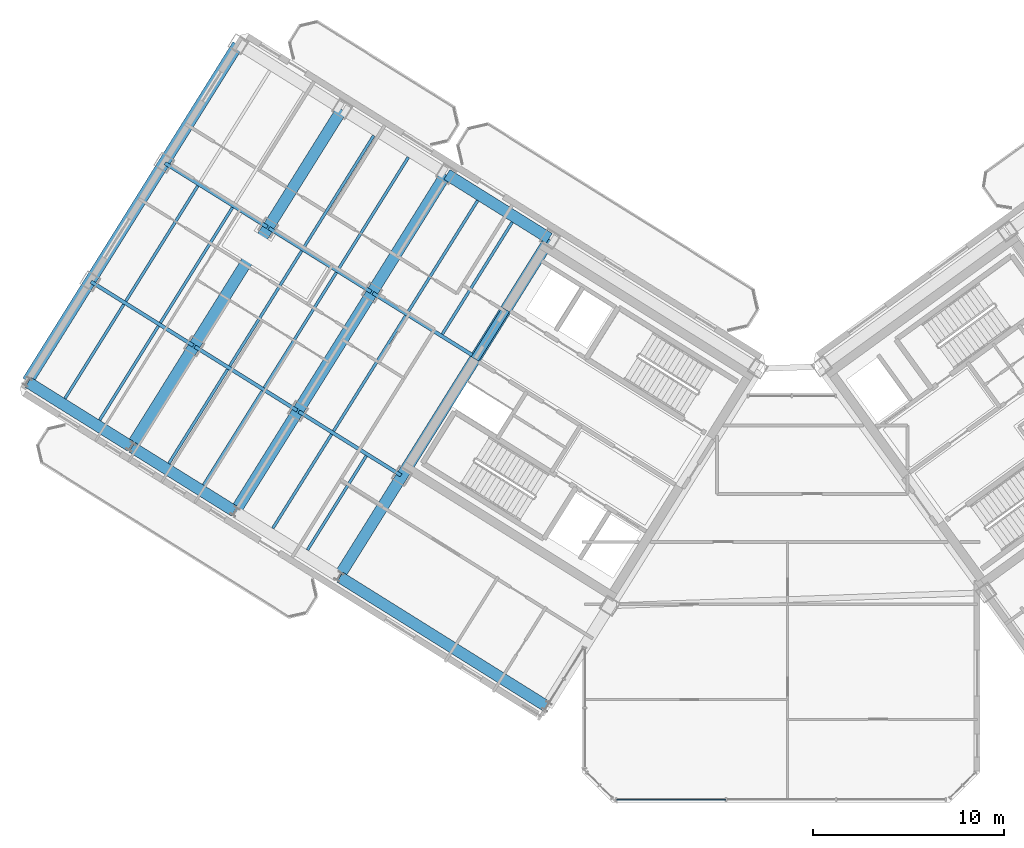
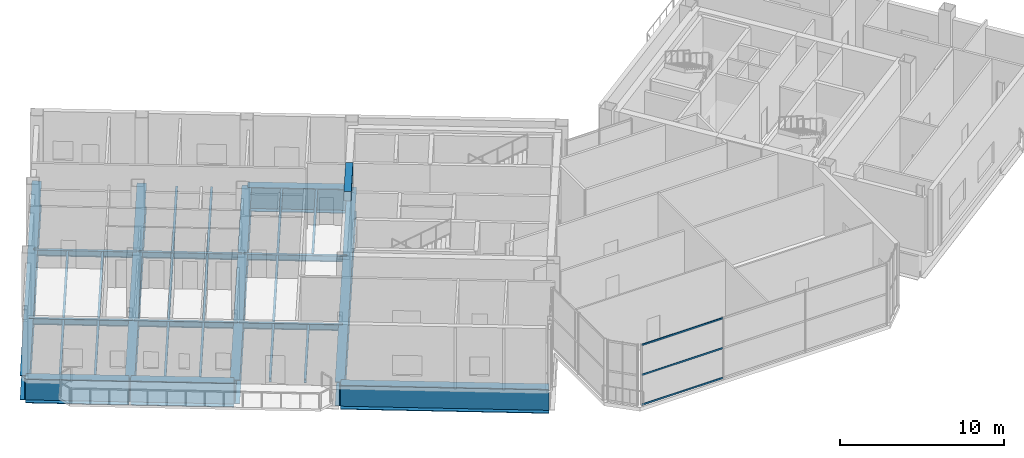
# One storey, part 7 of 26: 30 beams, 3 members, 1 element without a shape of its own.
"""IFC4 building model written with IfcOpenShell, lengths in metres."""

import ifcopenshell
import ifcopenshell.guid

model = None  # the IFC model being written
_history = None  # IfcOwnerHistory: only IFC2X3 demands one
_inside = {}  # id of a spatial element -> (the spatial element, [elements in it])
_under = {}  # id of a project, library or spatial element -> (it, [spatial elements below it])
_declared = {}  # id of a project -> (the project, [libraries it declares])
_typed = {}  # id of a type object -> (the type object, [elements of that type])
_made_of = {}  # id of a material, layer set ... -> (it, [elements and type objects made of it])


def new_model(schema):
    """Start an empty IFC model of exactly this schema.

    Asked for "IFC4X3", IfcOpenShell would pick the latest addendum, in which some entities
    have other attributes; the version numbers below select the first issue.
    IFC2X3 requires an IfcOwnerHistory on every rooted entity: one is made here for all.
    """
    global model, _history
    if schema == "IFC4X3":
        model = ifcopenshell.file(schema_version=(4, 3, 0, 0))
    else:
        model = ifcopenshell.file(schema=schema)
    _inside.clear()
    _under.clear()
    _declared.clear()
    _typed.clear()
    _made_of.clear()
    _history = None
    if model.schema == "IFC2X3":
        org = make("IfcOrganization", Name="unknown")
        user = make(
            "IfcPersonAndOrganization",
            ThePerson=make("IfcPerson", FamilyName="unknown"),
            TheOrganization=org,
        )
        app = make(
            "IfcApplication",
            ApplicationDeveloper=org,
            Version="unknown",
            ApplicationFullName="unknown",
            ApplicationIdentifier="unknown",
        )
        _history = make(
            "IfcOwnerHistory",
            OwningUser=user,
            OwningApplication=app,
            ChangeAction="ADDED",
            CreationDate=0,
        )
    return model


def make(cls, **values):
    """One entity of the class cls with the attributes given. An attribute that is None is left unset."""
    return model.create_entity(
        cls, **{name: value for name, value in values.items() if value is not None}
    )


def rooted(cls, **values):
    """An entity with a GlobalId (a new one), such as an element, a storey or a relation."""
    return make(cls, GlobalId=ifcopenshell.guid.new(), OwnerHistory=_history, **values)


def si_unit(unit_type, name, prefix=None):
    """IfcSIUnit, for example si_unit("LENGTHUNIT", "METRE", prefix="MILLI")."""
    return make("IfcSIUnit", UnitType=unit_type, Prefix=prefix, Name=name)


def assignment(units):
    """IfcUnitAssignment: the units of a project."""
    return None if units is None else make("IfcUnitAssignment", Units=units)


def point(xyz):
    """IfcCartesianPoint."""
    return None if xyz is None else make("IfcCartesianPoint", Coordinates=xyz)


def direction(xyz):
    """IfcDirection."""
    return None if xyz is None else make("IfcDirection", DirectionRatios=xyz)


def frame(location, z_axis=None, x_axis=None):
    """IfcAxis2Placement3D, a coordinate frame: its origin and axes. An axis left out is left unset."""
    return make(
        "IfcAxis2Placement3D",
        Location=point(location),
        Axis=direction(z_axis),
        RefDirection=direction(x_axis),
    )


def frame_2d(location, x_axis=None):
    """IfcAxis2Placement2D, a coordinate frame in the plane: its origin and x axis."""
    return make(
        "IfcAxis2Placement2D", Location=point(location), RefDirection=direction(x_axis)
    )


def origin():
    """The frame at (0, 0, 0) with its axes left unset."""
    return frame((0.0, 0.0, 0.0))


def origin_2d():
    """The frame at (0, 0) in the plane with its x axis left unset."""
    return frame_2d((0.0, 0.0))


def place(relative_to, where):
    """IfcLocalPlacement: puts the frame where relative to a parent placement (None: the world)."""
    return make(
        "IfcLocalPlacement", PlacementRelTo=relative_to, RelativePlacement=where
    )


def context(
    kind, dimensions, precision=None, world=None, true_north=None, identifier=None
):
    """IfcGeometricRepresentationContext, for example the 3D "Model" context."""
    return make(
        "IfcGeometricRepresentationContext",
        ContextIdentifier=identifier,
        ContextType=kind,
        CoordinateSpaceDimension=dimensions,
        Precision=precision,
        WorldCoordinateSystem=world,
        TrueNorth=true_north,
    )


def subcontext(parent, identifier, kind, view, scale=None):
    """IfcGeometricRepresentationSubContext, for example "Body" below "Model"."""
    return make(
        "IfcGeometricRepresentationSubContext",
        ContextIdentifier=identifier,
        ContextType=kind,
        ParentContext=parent,
        TargetScale=scale,
        TargetView=view,
    )


def project(units=None, contexts=None):
    """IfcProject with its units and contexts."""
    return rooted(
        "IfcProject",
        Name="project",
        RepresentationContexts=contexts,
        UnitsInContext=assignment(units),
    )


def spatial(cls, under=None, at=None, **own):
    """A site, building, storey or space (cls), placed at a placement, below another one or the project."""
    s = rooted(cls, ObjectPlacement=at, **own)
    if under is not None:
        _under.setdefault(under.id(), (under, []))[1].append(s)
    return s


def profile(cls, at=None, kind="AREA", **sizes):
    """A parametric profile (cls). Its sizes go by their IFC names, for example OverallWidth=200.0."""
    return make(cls, ProfileType=kind, Position=at, **sizes)


def rectangle(**sizes):
    """IfcRectangleProfileDef."""
    return profile("IfcRectangleProfileDef", **sizes)


def hollow_rectangle(**sizes):
    """IfcRectangleHollowProfileDef."""
    return profile("IfcRectangleHollowProfileDef", **sizes)


def i_section(**sizes):
    """IfcIShapeProfileDef."""
    return profile("IfcIShapeProfileDef", **sizes)


def extrude(swept, where, along, depth):
    """IfcExtrudedAreaSolid: the profile swept, set in the frame where, extruded along a direction by depth."""
    return make(
        "IfcExtrudedAreaSolid",
        SweptArea=swept,
        Position=where,
        ExtrudedDirection=direction(along),
        Depth=depth,
    )


def shape(context_of_items, identifier, shape_type, items):
    """IfcShapeRepresentation: the items that make up one representation, for example the "Body"."""
    return make(
        "IfcShapeRepresentation",
        ContextOfItems=context_of_items,
        RepresentationIdentifier=identifier,
        RepresentationType=shape_type,
        Items=items,
    )


def source(mapping_origin, context_of_items, identifier, shape_type, items):
    """IfcRepresentationMap: a shape defined once, which mapped items show again and again."""
    return make(
        "IfcRepresentationMap",
        MappingOrigin=mapping_origin,
        MappedRepresentation=shape(context_of_items, identifier, shape_type, items),
    )


def transform(
    local_origin,
    x_axis=None,
    y_axis=None,
    z_axis=None,
    scale=None,
    scale2=None,
    scale3=None,
    uniform=True,
):
    """IfcCartesianTransformationOperator3D, or its non-uniform kind. x_axis, y_axis, z_axis: its Axis1, 2, 3."""
    if uniform:
        return make(
            "IfcCartesianTransformationOperator3D",
            Axis1=direction(x_axis),
            Axis2=direction(y_axis),
            LocalOrigin=point(local_origin),
            Scale=scale,
            Axis3=direction(z_axis),
        )
    return make(
        "IfcCartesianTransformationOperator3DnonUniform",
        Axis1=direction(x_axis),
        Axis2=direction(y_axis),
        LocalOrigin=point(local_origin),
        Scale=scale,
        Axis3=direction(z_axis),
        Scale2=scale2,
        Scale3=scale3,
    )


def mapped(mapping_source, mapping_target):
    """IfcMappedItem: shows the shape of a source again, moved by a transform."""
    return make(
        "IfcMappedItem", MappingSource=mapping_source, MappingTarget=mapping_target
    )


def material(Name=None, Category=None):
    """IfcMaterial."""
    return make("IfcMaterial", Name=Name, Category=Category)


def material_profile(
    of_material, cross_section, Name=None, Category=None, Priority=None
):
    """IfcMaterialProfile: a cross section and its material."""
    return make(
        "IfcMaterialProfile",
        Name=Name,
        Material=of_material,
        Profile=cross_section,
        Priority=Priority,
        Category=Category,
    )


def profile_set(profiles, Name=None, composite=None):
    """IfcMaterialProfileSet."""
    return make(
        "IfcMaterialProfileSet",
        Name=Name,
        MaterialProfiles=profiles,
        CompositeProfile=composite,
    )


def made_of(thing, what):
    """Note that an element or type object is made of a material, layer set ...; save() writes the relation."""
    if what is not None:
        _made_of.setdefault(what.id(), (what, []))[1].append(thing)
    return thing


def type_object(cls, material=None, **own):
    """A type object (cls), such as IfcWallType, which elements share."""
    return made_of(rooted(cls, **own), material)


def element(
    cls,
    number,
    at=None,
    inside=None,
    cuts=None,
    type_object=None,
    material=None,
    context=None,
    identifier="Body",
    shape_type=None,
    held_by="IfcProductDefinitionShape",
    body=None,
    shapes=None,
    **own,
):
    """One element of the class cls, such as IfcWall. Its Tag is "e" and its number.

    at: its placement. inside: the storey or other place that contains it. cuts: it is an
    opening in that element (IfcRelVoidsElement). A single representation is given by context,
    identifier, shape_type and body (its items); several are given by shapes. held_by: the class
    of the entity that holds the representations. save() writes the other relations.
    """
    e = rooted(cls, Tag="e%d" % number, ObjectPlacement=at, **own)
    if body is not None:
        shapes = [shape(context, identifier, shape_type, body)]
    if shapes is not None:
        e.Representation = make(held_by, Representations=shapes)
    if inside is not None:
        _inside.setdefault(inside.id(), (inside, []))[1].append(e)
    if cuts is not None:
        rooted(
            "IfcRelVoidsElement", RelatingBuildingElement=cuts, RelatedOpeningElement=e
        )
    if type_object is not None:
        _typed.setdefault(type_object.id(), (type_object, []))[1].append(e)
    return made_of(e, material)


def aggregate(whole, parts):
    """IfcRelAggregates: a whole, such as a stair, and the parts it consists of."""
    return rooted("IfcRelAggregates", RelatingObject=whole, RelatedObjects=parts)


def save(model, path):
    """Write the relations noted so far, then the file.

    IfcRelAggregates (storeys below a building ...), IfcRelContainedInSpatialStructure (elements
    in a storey), IfcRelDefinesByType, IfcRelAssociatesMaterial and IfcRelDeclares: one each for
    every whole, place, type object, material and project.
    """
    for whole, parts in _under.values():
        aggregate(whole, parts)
    for where, things in _inside.values():
        rooted(
            "IfcRelContainedInSpatialStructure",
            RelatedElements=things,
            RelatingStructure=where,
        )
    for kind, things in _typed.values():
        rooted("IfcRelDefinesByType", RelatedObjects=things, RelatingType=kind)
    for what, things in _made_of.values():
        rooted("IfcRelAssociatesMaterial", RelatedObjects=things, RelatingMaterial=what)
    for by, libraries in _declared.values():
        rooted("IfcRelDeclares", RelatingContext=by, RelatedDefinitions=libraries)
    model.write(path)


model = new_model("IFC4")

# Units and contexts
model_context = context("Model", 3, precision=1e-05, world=origin(), true_north=direction((0.0, 1.0)))
body_context = subcontext(model_context, "Body", "Model", "MODEL_VIEW")
ifc_project = project(units=[si_unit("LENGTHUNIT", "METRE"), si_unit("AREAUNIT", "SQUARE_METRE"), si_unit("VOLUMEUNIT", "CUBIC_METRE"), si_unit("PLANEANGLEUNIT", "RADIAN"), si_unit("MASSUNIT", "GRAM", prefix="KILO")], contexts=[model_context])

# Site, building, storey
site_placement = place(None, origin())
site = spatial("IfcSite", under=ifc_project, at=site_placement, CompositionType="ELEMENT")
building_placement = place(site_placement, origin())
building = spatial("IfcBuilding", under=site, at=building_placement, Name="Tlacorven Tower", CompositionType="ELEMENT")
storey_placement = place(building_placement, frame((0.0, 0.0, 233.699951171875)))
storey = spatial("IfcBuildingStorey", under=building, at=storey_placement, Name="L59", CompositionType="ELEMENT", Elevation=233.699951171875)

# Beams
ifc_material_1 = material(Name="Concrete C60/75", Category="concrete")
ifc_material_profile_1 = material_profile(ifc_material_1, rectangle(XDim=0.449951171875, YDim=0.699951171875, at=origin_2d()), Name="RC 450X700")
ifc_profile_set_1 = profile_set([ifc_material_profile_1], Name="Concrete C60/75")
beam_type_1 = type_object("IfcBeamType", Name="BM-LNT-700", PredefinedType="LINTEL", material=ifc_profile_set_1)
shared_shape_1 = source(origin(), body_context, "Body", "SweptSolid", [
    extrude(rectangle(XDim=0.449951171875, YDim=0.699951171875, at=origin_2d()), origin(), (0.0, 0.0, 1.0), 3.0498046875),
])
beam_1_placement = place(storey_placement, frame((27.622802734375, 27.562255859375, 4.199951171875), z_axis=(-0.529926983584, -0.848043272522, 0.0), x_axis=(0.848043272522, -0.529926983584, 0.0)))
element("IfcBeam", 1, at=beam_1_placement, inside=storey, type_object=beam_type_1, Name="L59 W core coupling lintel beam E2", PredefinedType="LINTEL", context=body_context, shape_type="MappedRepresentation", body=[
    mapped(shared_shape_1, transform((0.0, 0.0, 0.0), scale=1.0)),
])
ifc_material_2 = material(Name="Steel S460M", Category="steel")
ifc_material_profile_2 = material_profile(ifc_material_2, i_section(OverallWidth=0.60009765625, OverallDepth=1.800048828125, WebThickness=0.028076171875, FlangeThickness=0.0400390625, at=origin_2d()), Name="PG 1800X600X28X40")
ifc_profile_set_2 = profile_set([ifc_material_profile_2], Name="Steel S460M")
beam_type_2 = type_object("IfcBeamType", Name="BM-TRG-1800", PredefinedType="USERDEFINED", material=ifc_profile_set_2)
shared_shape_2 = source(origin(), body_context, "Body", "SweptSolid", [
    extrude(i_section(OverallWidth=0.60009765625, OverallDepth=1.800048828125, WebThickness=0.028076171875, FlangeThickness=0.0400390625, at=origin_2d()), origin(), (0.0, 0.0, 1.0), 20.719970703125),
])
for number, where, z_axis, x_axis, name in (
    (2, (29.90673828125, 31.217529296875, -1.179931640625), (-0.529921621162, -0.84804662338, 0.0), (0.84804662338, -0.529921621162, 0.0), "L59 beam BM-L59-WT3-1"),
    (3, (24.479248046875, 34.60888671875, -1.179931640625), (-0.529921621162, -0.84804662338, 0.0), (0.84804662338, -0.529921621162, 0.0), "L59 beam BM-L59-WT4-1"),
    (4, (19.0517578125, 38.00048828125, -1.179931640625), (-0.529921621162, -0.84804662338, 0.0), (0.84804662338, -0.529921621162, 0.0), "L59 beam BM-L59-WT5-1"),
    (5, (13.624267578125, 41.391845703125, -1.179931640625), (-0.529921621162, -0.84804662338, 0.0), (0.84804662338, -0.529921621162, 0.0), "L59 beam BM-L59-WT6-1"),
):
    element("IfcBeam", number, at=place(storey_placement, frame(where, z_axis=z_axis, x_axis=x_axis)), inside=storey, type_object=beam_type_2, Name=name, ObjectType="TRANSFER GIRDER", PredefinedType="USERDEFINED", context=body_context, shape_type="MappedRepresentation", body=[
        mapped(shared_shape_2, transform((0.0, 0.0, 0.0), scale=1.0)),
    ])
shared_shape_3 = source(origin(), body_context, "Body", "SweptSolid", [
    extrude(i_section(OverallWidth=0.60009765625, OverallDepth=1.800048828125, WebThickness=0.028076171875, FlangeThickness=0.0400390625, at=origin_2d()), origin(), (0.0, 0.0, 1.0), 12.699951171875),
])
beam_2_placement = place(storey_placement, frame((29.71826171875, 6.85546875, -1.179931640625), z_axis=(-0.848049059057, 0.529917723268, 0.0), x_axis=(-0.529917723268, -0.848049059057, 0.0)))
element("IfcBeam", 6, at=beam_2_placement, inside=storey, type_object=beam_type_2, Name="L59 beam BM-L59-WL4-1", ObjectType="TRANSFER GIRDER", PredefinedType="USERDEFINED", context=body_context, shape_type="MappedRepresentation", body=[
    mapped(shared_shape_3, transform((0.0, 0.0, 0.0), scale=1.0)),
])
shared_shape_4 = source(origin(), body_context, "Body", "SweptSolid", [
    extrude(i_section(OverallWidth=0.60009765625, OverallDepth=1.800048828125, WebThickness=0.028076171875, FlangeThickness=0.0400390625, at=origin_2d()), origin(), (0.0, 0.0, 1.0), 6.300048828125),
])
for number, where, z_axis, x_axis, name in (
    (7, (29.885498046875, 31.27783203125, -1.179931640625), (-0.848041842361, 0.529929272267, 0.0), (-0.529929272267, -0.848041842361, 0.0), "L59 beam BM-L59-WL1-3"),
    (8, (13.435791015625, 17.030029296875, -1.179931640625), (-0.848059257352, 0.529901402168, 0.0), (-0.529901402168, -0.848059257352, 0.0), "L59 beam BM-L59-WL4-4"),
    (9, (8.00830078125, 20.42138671875, -1.179931640625), (-0.848041842361, 0.529929272267, 0.0), (-0.529929272267, -0.848041842361, 0.0), "L59 beam BM-L59-WL4-5"),
):
    element("IfcBeam", number, at=place(storey_placement, frame(where, z_axis=z_axis, x_axis=x_axis)), inside=storey, type_object=beam_type_2, Name=name, ObjectType="TRANSFER GIRDER", PredefinedType="USERDEFINED", context=body_context, shape_type="MappedRepresentation", body=[
        mapped(shared_shape_4, transform((0.0, 0.0, 0.0), scale=1.0)),
    ])
ifc_material_3 = material(Name="Steel S355J2", Category="steel")
ifc_material_profile_3 = material_profile(ifc_material_3, i_section(OverallWidth=0.18994140625, OverallDepth=0.449951171875, WebThickness=0.009521484375, FlangeThickness=0.0146484375, at=origin_2d()), Name="IPE 450")
ifc_profile_set_3 = profile_set([ifc_material_profile_3], Name="Steel S355J2")
beam_type_3 = type_object("IfcBeamType", Name="BM-TWR-450", PredefinedType="BEAM", material=ifc_profile_set_3)
shared_shape_5 = source(origin(), body_context, "Body", "SweptSolid", [
    extrude(i_section(OverallWidth=0.18994140625, OverallDepth=0.449951171875, WebThickness=0.009521484375, FlangeThickness=0.0146484375, at=origin_2d()), origin(), (0.0, 0.0, 1.0), 6.300048828125),
])
for number, where, z_axis, x_axis, name in (
    (10, (26.01708984375, 25.087158203125, -0.5048828125), (-0.848059257352, 0.529901402168, 0.0), (-0.529901402168, -0.848059257352, 0.0), "L59 beam BM-L59-WL2-3"),
    (11, (20.589599609375, 28.478515625, -0.5048828125), (-0.848041842361, 0.529929272267, 0.0), (-0.529929272267, -0.848041842361, 0.0), "L59 beam BM-L59-WL2-4"),
    (12, (15.162109375, 31.8701171875, -0.5048828125), (-0.848059257352, 0.529901402168, 0.0), (-0.529901402168, -0.848059257352, 0.0), "L59 beam BM-L59-WL2-5"),
    (13, (22.148681640625, 18.896240234375, -0.5048828125), (-0.848041842361, 0.529929272267, 0.0), (-0.529929272267, -0.848041842361, 0.0), "L59 beam BM-L59-WL3-3"),
    (14, (16.72119140625, 22.287841796875, -0.5048828125), (-0.848059257352, 0.529901402168, 0.0), (-0.529901402168, -0.848059257352, 0.0), "L59 beam BM-L59-WL3-4"),
    (15, (11.293701171875, 25.67919921875, -0.5048828125), (-0.848041842361, 0.529929272267, 0.0), (-0.529929272267, -0.848041842361, 0.0), "L59 beam BM-L59-WL3-5"),
):
    element("IfcBeam", number, at=place(storey_placement, frame(where, z_axis=z_axis, x_axis=x_axis)), inside=storey, type_object=beam_type_3, Name=name, PredefinedType="BEAM", context=body_context, shape_type="MappedRepresentation", body=[
        mapped(shared_shape_5, transform((0.0, 0.0, 0.0), scale=1.0)),
    ])
ifc_material_profile_4 = material_profile(ifc_material_3, i_section(OverallWidth=0.14990234375, OverallDepth=0.300048828125, WebThickness=0.007080078125, FlangeThickness=0.0107421875, at=origin_2d()), Name="IPE 300")
ifc_profile_set_4 = profile_set([ifc_material_profile_4], Name="Steel S355J2")
beam_type_4 = type_object("IfcBeamType", Name="BM-JST-300", PredefinedType="JOIST", material=ifc_profile_set_4)
shared_shape_6 = source(origin(), body_context, "Body", "SweptSolid", [
    extrude(i_section(OverallWidth=0.14990234375, OverallDepth=0.300048828125, WebThickness=0.007080078125, FlangeThickness=0.0107421875, at=origin_2d()), origin(), (0.0, 0.0, 1.0), 6.89501953125),
])
for number, where, z_axis, x_axis, name in (
    (16, (27.957275390625, 32.123291015625, -0.429931640625), (-0.529913003766, -0.848052008098, 0.0), (0.848052008098, -0.529913003766, 0.0), "L59 beam BM-L59-WJ3-1-1"),
    (17, (26.14794921875, 33.253662109375, -0.429931640625), (-0.529928916192, -0.848042064867, 0.0), (0.848042064867, -0.529928916192, 0.0), "L59 beam BM-L59-WJ3-1-2"),
    (18, (22.52978515625, 35.5146484375, -0.429931640625), (-0.529928916192, -0.848042064867, 0.0), (0.848042064867, -0.529928916192, 0.0), "L59 beam BM-L59-WJ4-1-1"),
    (19, (20.720458984375, 36.645263671875, -0.429931640625), (-0.529913003766, -0.848052008098, 0.0), (0.848052008098, -0.529913003766, 0.0), "L59 beam BM-L59-WJ4-1-2"),
):
    element("IfcBeam", number, at=place(storey_placement, frame(where, z_axis=z_axis, x_axis=x_axis)), inside=storey, type_object=beam_type_4, Name=name, PredefinedType="JOIST", context=body_context, shape_type="MappedRepresentation", body=[
        mapped(shared_shape_6, transform((0.0, 0.0, 0.0), scale=1.0)),
    ])
shared_shape_7 = source(origin(), body_context, "Body", "SweptSolid", [
    extrude(i_section(OverallWidth=0.14990234375, OverallDepth=0.300048828125, WebThickness=0.007080078125, FlangeThickness=0.0107421875, at=origin_2d()), origin(), (0.0, 0.0, 1.0), 5.795166015625),
])
for number, where, z_axis, x_axis, name in (
    (20, (20.3291015625, 19.91552734375, -0.429931640625), (-0.529930775791, -0.848040902828, 0.0), (0.848040902828, -0.529930775791, 0.0), "L59 beam BM-L59-WJ3-3-1"),
    (21, (18.519775390625, 21.046142578125, -0.429931640625), (-0.529900477288, -0.848059835253, 0.0), (0.848059835253, -0.529900477288, 0.0), "L59 beam BM-L59-WJ3-3-2"),
    (22, (14.9013671875, 23.30712890625, -0.429931640625), (-0.529900477288, -0.848059835253, 0.0), (0.848059835253, -0.529900477288, 0.0), "L59 beam BM-L59-WJ4-3-1"),
    (23, (9.473876953125, 26.698486328125, -0.429931640625), (-0.529900477288, -0.848059835253, 0.0), (0.848059835253, -0.529900477288, 0.0), "L59 beam BM-L59-WJ5-3-1"),
    (24, (7.664794921875, 27.8291015625, -0.429931640625), (-0.529930775791, -0.848040902828, 0.0), (0.848040902828, -0.529930775791, 0.0), "L59 beam BM-L59-WJ5-3-2"),
):
    element("IfcBeam", number, at=place(storey_placement, frame(where, z_axis=z_axis, x_axis=x_axis)), inside=storey, type_object=beam_type_4, Name=name, PredefinedType="JOIST", context=body_context, shape_type="MappedRepresentation", body=[
        mapped(shared_shape_7, transform((0.0, 0.0, 0.0), scale=1.0)),
    ])
shared_shape_8 = source(origin(), body_context, "Body", "SweptSolid", [
    extrude(i_section(OverallWidth=0.14990234375, OverallDepth=0.300048828125, WebThickness=0.007080078125, FlangeThickness=0.0107421875, at=origin_2d()), origin(), (0.0, 0.0, 1.0), 7.10009765625),
])
for number, where, z_axis, x_axis, name in (
    (25, (22.38818359375, 27.23681640625, -0.429931640625), (-0.529915484902, -0.848050457733, 0.0), (0.848050457733, -0.529915484902, 0.0), "L59 beam BM-L59-WJ3-2-2"),
    (26, (11.533203125, 34.019775390625, -0.429931640625), (-0.529915484902, -0.848050457733, 0.0), (0.848050457733, -0.529915484902, 0.0), "L59 beam BM-L59-WJ5-2-2"),
):
    element("IfcBeam", number, at=place(storey_placement, frame(where, z_axis=z_axis, x_axis=x_axis)), inside=storey, type_object=beam_type_4, Name=name, PredefinedType="JOIST", context=body_context, shape_type="MappedRepresentation", body=[
        mapped(shared_shape_8, transform((0.0, 0.0, 0.0), scale=1.0)),
    ])
shared_shape_9 = source(origin(), body_context, "Body", "SweptSolid", [
    extrude(i_section(OverallWidth=0.14990234375, OverallDepth=0.300048828125, WebThickness=0.007080078125, FlangeThickness=0.0107421875, at=origin_2d()), origin(), (0.0, 0.0, 1.0), 7.099853515625),
])
for number, where, z_axis, x_axis, name in (
    (27, (18.769775390625, 29.497802734375, -0.429931640625), (-0.529890754507, -0.848065910344, 0.0), (0.848065910344, -0.529890754507, 0.0), "L59 beam BM-L59-WJ4-2-1"),
    (28, (16.960693359375, 30.628173828125, -0.429931640625), (-0.529930937954, -0.848040801494, 0.0), (0.848040801494, -0.529930937954, 0.0), "L59 beam BM-L59-WJ4-2-2"),
    (29, (13.34228515625, 32.88916015625, -0.429931640625), (-0.529930937954, -0.848040801494, 0.0), (0.848040801494, -0.529930937954, 0.0), "L59 beam BM-L59-WJ5-2-1"),
):
    element("IfcBeam", number, at=place(storey_placement, frame(where, z_axis=z_axis, x_axis=x_axis)), inside=storey, type_object=beam_type_4, Name=name, PredefinedType="JOIST", context=body_context, shape_type="MappedRepresentation", body=[
        mapped(shared_shape_9, transform((0.0, 0.0, 0.0), scale=1.0)),
    ])
shared_shape_10 = source(origin(), body_context, "Body", "SweptSolid", [
    extrude(i_section(OverallWidth=0.14990234375, OverallDepth=0.300048828125, WebThickness=0.007080078125, FlangeThickness=0.0107421875, at=origin_2d()), origin(), (0.0, 0.0, 1.0), 5.794921875),
])
beam_3_placement = place(storey_placement, frame((13.09228515625, 24.4375, -0.429931640625), z_axis=(-0.529919410139, -0.848048004984, 0.0), x_axis=(0.848048004984, -0.529919410139, 0.0)))
element("IfcBeam", 30, at=beam_3_placement, inside=storey, type_object=beam_type_4, Name="L59 beam BM-L59-WJ4-3-2", PredefinedType="JOIST", context=body_context, shape_type="MappedRepresentation", body=[
    mapped(shared_shape_10, transform((0.0, 0.0, 0.0), scale=1.0)),
])

# Curtain wall, members
ifc_material_4 = material(Name="Dark solar low-E double glazing in aluminium frame", Category="aluminium")
curtain_wall_type = type_object("IfcCurtainWallType", Name="CW-TWR-HIGH", PredefinedType="USERDEFINED", material=ifc_material_4)
curtain_wall_placement = place(storey_placement, origin())
curtain_wall = element("IfcCurtainWall", 31, at=curtain_wall_placement, inside=storey, type_object=curtain_wall_type, Name="L59 CW-TWR-HIGH Curtain Wall 267", ObjectType="UNITISED CURTAIN WALL", PredefinedType="USERDEFINED")
ifc_material_5 = material(Name="Aluminium 6063-T6 anodised", Category="aluminium")
ifc_material_profile_5 = material_profile(ifc_material_5, hollow_rectangle(XDim=0.054931640625, YDim=0.1201171875, WallThickness=0.00341796875, at=origin_2d()), Name="ALU TRANSOM 55X120")
ifc_profile_set_5 = profile_set([ifc_material_profile_5], Name="Aluminium 6063-T6 anodised")
member_type = type_object("IfcMemberType", Name="CWT-03", PredefinedType="USERDEFINED", material=ifc_profile_set_5)
shared_shape_11 = source(origin(), body_context, "Body", "SweptSolid", [
    extrude(hollow_rectangle(XDim=0.054931640625, YDim=0.1201171875, WallThickness=0.00341796875, at=origin_2d()), origin(), (0.0, 0.0, 1.0), 5.689697265625),
])
member_1_placement = place(storey_placement, frame((39.10400390625, 1.9599609375, 0.06005859375), z_axis=(-1.0, 0.0, 0.0), x_axis=(0.0, -1.0, 0.0)))
member_1 = element("IfcMember", 32, at=member_1_placement, type_object=member_type, Name="CW-L59-267 Transom 7", ObjectType="TRANSOM", PredefinedType="USERDEFINED", context=body_context, shape_type="MappedRepresentation", body=[
    mapped(shared_shape_11, transform((0.0, 0.0, 0.0), scale=1.0)),
])
member_2_placement = place(storey_placement, frame((39.10400390625, 1.9599609375, 2.275146484375), z_axis=(-1.0, 0.0, 0.0), x_axis=(0.0, -1.0, 0.0)))
member_2 = element("IfcMember", 33, at=member_2_placement, type_object=member_type, Name="CW-L59-267 Transom 8", ObjectType="TRANSOM", PredefinedType="USERDEFINED", context=body_context, shape_type="MappedRepresentation", body=[
    mapped(shared_shape_11, transform((0.0, 0.0, 0.0), scale=1.0)),
])
member_3_placement = place(storey_placement, frame((39.10400390625, 1.9599609375, 4.489990234375), z_axis=(-1.0, 0.0, 0.0), x_axis=(0.0, -1.0, 0.0)))
member_3 = element("IfcMember", 34, at=member_3_placement, type_object=member_type, Name="CW-L59-267 Transom 9", ObjectType="TRANSOM", PredefinedType="USERDEFINED", context=body_context, shape_type="MappedRepresentation", body=[
    mapped(shared_shape_11, transform((0.0, 0.0, 0.0), scale=1.0)),
])
aggregate(curtain_wall, [member_1, member_2, member_3])

save(model, "model.ifc")
